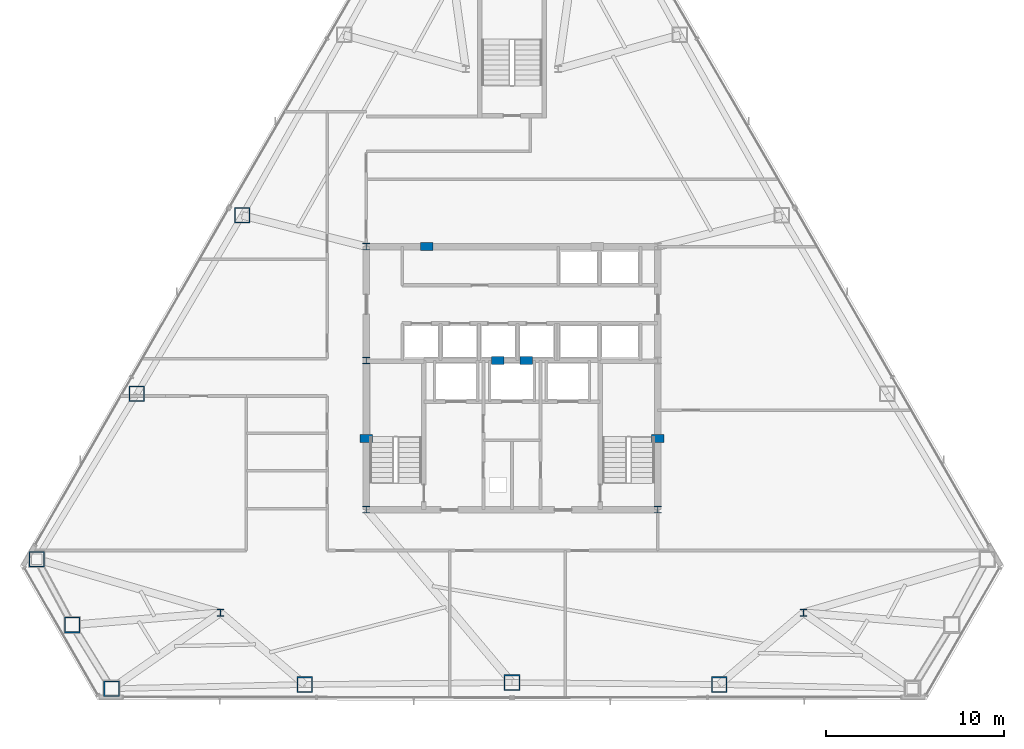
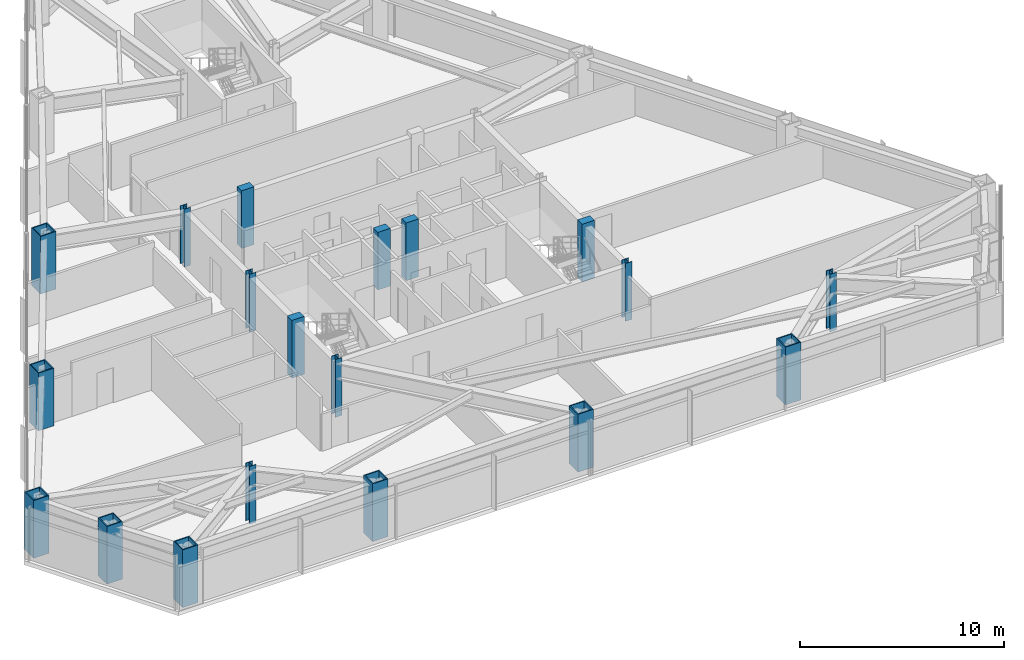
# One storey, part 1 of 13: 19 columns.
"""IFC4 building model written with IfcOpenShell, lengths in metres."""

from ifc_helpers import new_model, si_unit, direction, frame, origin, origin_2d, place, context, subcontext, project, spatial, rectangle, hollow_rectangle, i_section, extrude, material, material_profile, profile_set, type_object, element, save


model = new_model("IFC4")

# Units and contexts
model_context = context("Model", 3, precision=1e-05, world=origin(), true_north=direction((0.0, 1.0)))
body_context = subcontext(model_context, "Body", "Model", "MODEL_VIEW")
ifc_project = project(units=[si_unit("LENGTHUNIT", "METRE"), si_unit("AREAUNIT", "SQUARE_METRE"), si_unit("VOLUMEUNIT", "CUBIC_METRE"), si_unit("PLANEANGLEUNIT", "RADIAN"), si_unit("MASSUNIT", "GRAM", prefix="KILO")], contexts=[model_context])

# Site, building, storey
site_placement = place(None, origin())
site = spatial("IfcSite", under=ifc_project, at=site_placement, CompositionType="ELEMENT")
building_placement = place(site_placement, origin())
building = spatial("IfcBuilding", under=site, at=building_placement, Name="Varakhsha Concourse Tower", CompositionType="ELEMENT")
storey_placement = place(building_placement, frame((0.0, 0.0, 126.35009765625)))
storey = spatial("IfcBuildingStorey", under=building, at=storey_placement, Name="L36", CompositionType="ELEMENT", Elevation=126.35009765625)

# Columns
ifc_material_1 = material(Name="Structural Steel ASTM A992 Grade 50", Category="steel")
ifc_material_profile_1 = material_profile(ifc_material_1, i_section(OverallWidth=0.3740234375, OverallDepth=0.3720703125, WebThickness=0.01611328125, FlangeThickness=0.02587890625, at=origin_2d()), Name="W14X132")
ifc_profile_set_1 = profile_set([ifc_material_profile_1], Name="Structural Steel ASTM A992 Grade 50")
column_type_1 = type_object("IfcColumnType", Name="CL-CORE-W14X132", PredefinedType="COLUMN", material=ifc_profile_set_1)
for number, where, z_axis, x_axis, name in (
    (1, (31.800048828125, 16.39990234375, 0.0), (0.0, 0.0, 1.0), (1.0, 0.0, 0.0), "L36 Core Column CC-SW"),
    (2, (48.199951171875, 16.39990234375, 0.0), (0.0, 0.0, 1.0), (1.0, 0.0, 0.0), "L36 Core Column CC-SE"),
    (3, (31.800048828125, 24.800048828125, 0.0), (0.0, 0.0, 1.0), (1.0, 0.0, 0.0), "L36 Core Column CC-MW"),
    (4, (31.800048828125, 31.199951171875, 0.0), (0.0, 0.0, 1.0), (1.0, 0.0, 0.0), "L36 Core Column CC-NW"),
    (5, (23.60009765625, 10.60009765625, 0.0), (0.0, 0.0, 1.0), (1.0, 0.0, 0.0), "L36 Core Column SS-W"),
    (6, (56.39990234375, 10.60009765625, 0.0), (0.0, 0.0, 1.0), (1.0, 0.0, 0.0), "L36 Core Column SS-E"),
):
    element("IfcColumn", number, at=place(storey_placement, frame(where, z_axis=z_axis, x_axis=x_axis)), inside=storey, type_object=column_type_1, Name=name, PredefinedType="COLUMN", context=body_context, shape_type="SweptSolid", body=[
        extrude(i_section(OverallWidth=0.3740234375, OverallDepth=0.3720703125, WebThickness=0.01611328125, FlangeThickness=0.02587890625, at=origin_2d()), origin(), (0.0, 0.0, 1.0), 3.449951171875),
    ])
ifc_material_2 = material(Name="Concrete fc 65 MPa", Category="concrete")
ifc_material_profile_2 = material_profile(ifc_material_2, rectangle(XDim=0.699951171875, YDim=0.449951171875, at=origin_2d()), Name="RC 700x450")
ifc_profile_set_2 = profile_set([ifc_material_profile_2], Name="Concrete fc 65 MPa")
column_type_2 = type_object("IfcColumnType", Name="CL-PIL-700X450", PredefinedType="PILASTER", material=ifc_profile_set_2)
for number, where, z_axis, x_axis, name in (
    (7, (31.800048828125, 20.39990234375, 0.0), (0.0, 0.0, 1.0), (1.0, 0.0, 0.0), "L36 Core Boundary Pilaster PIL-W1"),
    (8, (48.199951171875, 20.39990234375, 0.0), (0.0, 0.0, 1.0), (1.0, 0.0, 0.0), "L36 Core Boundary Pilaster PIL-E1"),
    (9, (35.199951171875, 31.199951171875, 0.0), (0.0, 0.0, 1.0), (1.0, 0.0, 0.0), "L36 Core Boundary Pilaster PIL-N1"),
    (10, (39.199951171875, 24.800048828125, 0.0), (0.0, 0.0, 1.0), (1.0, 0.0, 0.0), "L36 Core Boundary Pilaster PIL-M1"),
    (11, (40.800048828125, 24.800048828125, 0.0), (0.0, 0.0, 1.0), (1.0, 0.0, 0.0), "L36 Core Boundary Pilaster PIL-M2"),
):
    element("IfcColumn", number, at=place(storey_placement, frame(where, z_axis=z_axis, x_axis=x_axis)), inside=storey, type_object=column_type_2, Name=name, PredefinedType="PILASTER", context=body_context, shape_type="SweptSolid", body=[
        extrude(rectangle(XDim=0.699951171875, YDim=0.449951171875, at=origin_2d()), origin(), (0.0, 0.0, 1.0), 3.449951171875),
    ])
ifc_material_3 = material(Name="Structural Steel ASTM A572 Grade 50", Category="steel")
ifc_material_profile_3 = material_profile(ifc_material_3, hollow_rectangle(XDim=0.8798828125, YDim=0.8798828125, WallThickness=0.06005859375, at=origin_2d()), Name="BOX 880x880x60")
ifc_profile_set_3 = profile_set([ifc_material_profile_3], Name="Structural Steel ASTM A572 Grade 50")
column_type_3 = type_object("IfcColumnType", Name="CL-TUBE-880", PredefinedType="COLUMN", material=ifc_profile_set_3)
for number, where, z_axis, x_axis, name in (
    (12, (24.819580078125, 32.96435546875, 0.0), (0.0, 0.0, 1.0), (1.0, 0.0, 0.0), "L36 Framed-Tube Column TC05"),
    (13, (18.8916015625, 22.919921875, 0.0), (0.0, 0.0, 1.0), (1.0, 0.0, 0.0), "L36 Framed-Tube Column TC06"),
    (14, (13.255126953125, 13.619140625, 0.0), (0.0, 0.0, 1.0), (1.0, 0.0, 0.0), "L36 Framed-Tube Column TC07"),
    (15, (15.2548828125, 9.913330078125, 0.0), (0.0, 0.0, 1.0), (1.0, 0.0, 0.0), "L36 Framed-Tube Column TC08"),
    (16, (17.46435546875, 6.328857421875, 0.0), (0.0, 0.0, 1.0), (1.0, 0.0, 0.0), "L36 Framed-Tube Column TC09"),
    (17, (28.337158203125, 6.5595703125, 0.0), (0.0, 0.0, 1.0), (1.0, 0.0, 0.0), "L36 Framed-Tube Column TC10"),
    (18, (40.0, 6.67138671875, 0.0), (0.0, 0.0, 1.0), (1.0, 0.0, 0.0), "L36 Framed-Tube Column TC11"),
    (19, (51.662841796875, 6.5595703125, 0.0), (0.0, 0.0, 1.0), (1.0, 0.0, 0.0), "L36 Framed-Tube Column TC12"),
):
    element("IfcColumn", number, at=place(storey_placement, frame(where, z_axis=z_axis, x_axis=x_axis)), inside=storey, type_object=column_type_3, Name=name, PredefinedType="COLUMN", context=body_context, shape_type="SweptSolid", body=[
        extrude(hollow_rectangle(XDim=0.8798828125, YDim=0.8798828125, WallThickness=0.06005859375, at=origin_2d()), origin(), (0.0, 0.0, 1.0), 3.449951171875),
    ])

save(model, "model.ifc")
